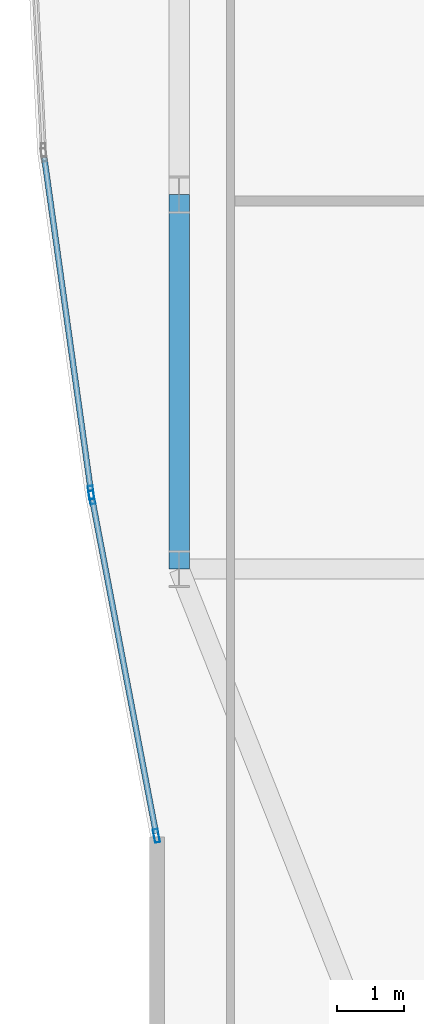
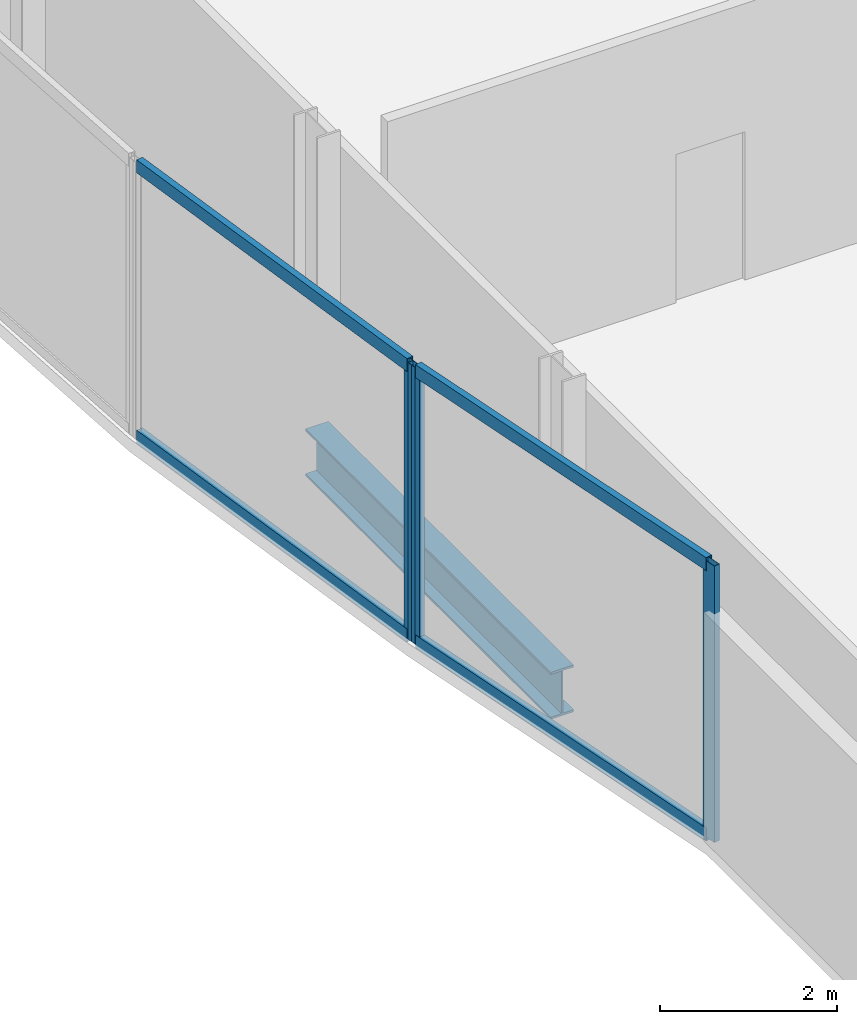
# One storey, part 6 of 37: 7 members, 1 beam, 2 elements without a shape of their own.
"""IFC4 building model written with IfcOpenShell, lengths in metres."""

from ifc_helpers import new_model, si_unit, direction, frame, origin, origin_2d, place, context, subcontext, project, spatial, hollow_rectangle, i_section, extrude, material, material_profile, profile_set, type_object, element, aggregate, save


model = new_model("IFC4")

# Units and contexts
model_context = context("Model", 3, precision=1e-05, world=origin(), true_north=direction((0.0, 1.0)))
body_context = subcontext(model_context, "Body", "Model", "MODEL_VIEW")
ifc_project = project(units=[si_unit("LENGTHUNIT", "METRE"), si_unit("AREAUNIT", "SQUARE_METRE"), si_unit("VOLUMEUNIT", "CUBIC_METRE"), si_unit("PLANEANGLEUNIT", "RADIAN"), si_unit("MASSUNIT", "GRAM", prefix="KILO")], contexts=[model_context])

# Site, building, storey
site_placement = place(None, origin())
site = spatial("IfcSite", under=ifc_project, at=site_placement, CompositionType="ELEMENT")
building_placement = place(site_placement, origin())
building = spatial("IfcBuilding", under=site, at=building_placement, Name="Khoronbel Lancet Exchange", CompositionType="ELEMENT")
storey_placement = place(building_placement, frame((0.0, 0.0, 45.800048828125)))
storey = spatial("IfcBuildingStorey", under=building, at=storey_placement, Name="L10", CompositionType="ELEMENT", Elevation=45.800048828125)

# Beam
ifc_material_1 = material(Name="Steel S355", Category="steel")
ifc_material_profile_1 = material_profile(ifc_material_1, i_section(OverallWidth=0.300048828125, OverallDepth=0.64990234375, WebThickness=0.01611328125, FlangeThickness=0.031005859375, at=origin_2d()), Name="HEB 650")
ifc_profile_set_1 = profile_set([ifc_material_profile_1], Name="Steel S355")
beam_type = type_object("IfcBeamType", Name="BM-BSP1", PredefinedType="SPANDREL", material=ifc_profile_set_1)
beam_placement = place(storey_placement, frame((1.27001953125, 24.75, -0.505126953125), z_axis=(0.0, -1.0, 0.0), x_axis=(1.0, 0.0, 0.0)))
element("IfcBeam", 1, at=beam_placement, inside=storey, type_object=beam_type, Name="Level L10 perimeter spandrel beam SP20", PredefinedType="SPANDREL", context=body_context, shape_type="SweptSolid", body=[
    extrude(i_section(OverallWidth=0.300048828125, OverallDepth=0.64990234375, WebThickness=0.01611328125, FlangeThickness=0.031005859375, at=origin_2d()), origin(), (0.0, 0.0, 1.0), 5.550048828125),
])

# Curtain wall, members
ifc_material_2 = material(Name="Low-E Solar Control Insulating Glass", Category="glass")
curtain_wall_type = type_object("IfcCurtainWallType", Name="CW-4", PredefinedType="NOTDEFINED", material=ifc_material_2)
curtain_wall_1_placement = place(storey_placement, origin())
curtain_wall_1 = element("IfcCurtainWall", 2, at=curtain_wall_1_placement, inside=storey, type_object=curtain_wall_type, Name="Unitised curtain wall CW-L10-E04", PredefinedType="NOTDEFINED")
ifc_material_3 = material(Name="Bronze-Anodised Aluminium 6063-T6", Category="aluminium")
ifc_material_profile_2 = material_profile(ifc_material_3, hollow_rectangle(XDim=0.074951171875, YDim=0.199951171875, WallThickness=0.0048828125, at=origin_2d()), Name="ALU MULLION 75x200")
ifc_profile_set_2 = profile_set([ifc_material_profile_2], Name="Bronze-Anodised Aluminium 6063-T6")
member_type_1 = type_object("IfcMemberType", Name="MEM-CWM2", PredefinedType="MULLION", material=ifc_profile_set_2)
member_1_placement = place(storey_placement, frame((0.932861328125, 15.245361328125, 0.0), z_axis=(0.0, 0.0, 1.0), x_axis=(-0.982279223099, -0.187423391996, 0.0)))
member_1 = element("IfcMember", 3, at=member_1_placement, type_object=member_type_1, Name="CW4 mullion 1", PredefinedType="MULLION", context=body_context, shape_type="SweptSolid", body=[
    extrude(hollow_rectangle(XDim=0.074951171875, YDim=0.199951171875, WallThickness=0.0048828125, at=origin_2d()), origin(), (0.0, 0.0, 1.0), 3.820068359375),
])
member_2_placement = place(storey_placement, frame((-0.024169921875, 20.26123046875, 0.0), z_axis=(0.0, 0.0, 1.0), x_axis=(-0.982279223099, -0.187423391996, 0.0)))
member_2 = element("IfcMember", 4, at=member_2_placement, type_object=member_type_1, Name="CW4 mullion 2", PredefinedType="MULLION", context=body_context, shape_type="SweptSolid", body=[
    extrude(hollow_rectangle(XDim=0.074951171875, YDim=0.199951171875, WallThickness=0.0048828125, at=origin_2d()), origin(), (0.0, 0.0, 1.0), 3.820068359375),
])

# Curtain wall, member
curtain_wall_2_placement = place(storey_placement, origin())
curtain_wall_2 = element("IfcCurtainWall", 5, at=curtain_wall_2_placement, inside=storey, type_object=curtain_wall_type, Name="Unitised curtain wall CW-L10-E05", PredefinedType="NOTDEFINED")
member_3_placement = place(storey_placement, frame((-0.036376953125, 20.335205078125, 0.0), z_axis=(0.0, 0.0, 1.0), x_axis=(-0.990384767809, -0.138340202733, 0.0)))
member_3 = element("IfcMember", 6, at=member_3_placement, type_object=member_type_1, Name="CW4 mullion 1", PredefinedType="MULLION", context=body_context, shape_type="SweptSolid", body=[
    extrude(hollow_rectangle(XDim=0.074951171875, YDim=0.199951171875, WallThickness=0.0048828125, at=origin_2d()), origin(), (0.0, 0.0, 1.0), 3.820068359375),
])

# Member
ifc_material_profile_3 = material_profile(ifc_material_3, hollow_rectangle(XDim=0.0849609375, YDim=0.179931640625, WallThickness=0.0048828125, at=origin_2d()), Name="ALU TRANSOM 85x180")
ifc_profile_set_3 = profile_set([ifc_material_profile_3], Name="Bronze-Anodised Aluminium 6063-T6")
member_type_2 = type_object("IfcMemberType", Name="MEM-CWT1", PredefinedType="USERDEFINED", material=ifc_profile_set_3)
member_4_placement = place(storey_placement, frame((0.926025390625, 15.2822265625, 0.04248046875), z_axis=(-0.187448792919, 0.982274376146, 0.0), x_axis=(-0.982274376146, -0.187448792919, 0.0)))
member_4 = element("IfcMember", 7, at=member_4_placement, type_object=member_type_2, Name="CW4 transom 1.1", ObjectType="TRANSOM", PredefinedType="USERDEFINED", context=body_context, shape_type="SweptSolid", body=[
    extrude(hollow_rectangle(XDim=0.0849609375, YDim=0.179931640625, WallThickness=0.0048828125, at=origin_2d()), origin(), (0.0, 0.0, 1.0), 5.03125),
])

member_5_placement = place(storey_placement, frame((0.926025390625, 15.2822265625, 3.77734375), z_axis=(-0.187448792919, 0.982274376146, 0.0), x_axis=(-0.982274376146, -0.187448792919, 0.0)))
member_5 = element("IfcMember", 8, at=member_5_placement, type_object=member_type_2, Name="CW4 transom 1.2", ObjectType="TRANSOM", PredefinedType="USERDEFINED", context=body_context, shape_type="SweptSolid", body=[
    extrude(hollow_rectangle(XDim=0.0849609375, YDim=0.179931640625, WallThickness=0.0048828125, at=origin_2d()), origin(), (0.0, 0.0, 1.0), 5.03125),
])

aggregate(curtain_wall_1, [member_1, member_2, member_4, member_5])

member_6_placement = place(storey_placement, frame((-0.04150390625, 20.372314453125, 0.04248046875), z_axis=(-0.138343751113, 0.990384272153, 0.0), x_axis=(-0.990384272153, -0.138343751113, 0.0)))
member_6 = element("IfcMember", 9, at=member_6_placement, type_object=member_type_2, Name="CW4 transom 1.1", ObjectType="TRANSOM", PredefinedType="USERDEFINED", context=body_context, shape_type="SweptSolid", body=[
    extrude(hollow_rectangle(XDim=0.0849609375, YDim=0.179931640625, WallThickness=0.0048828125, at=origin_2d()), origin(), (0.0, 0.0, 1.0), 4.9765625),
])

member_7_placement = place(storey_placement, frame((-0.04150390625, 20.372314453125, 3.77734375), z_axis=(-0.138343751113, 0.990384272153, 0.0), x_axis=(-0.990384272153, -0.138343751113, 0.0)))
member_7 = element("IfcMember", 10, at=member_7_placement, type_object=member_type_2, Name="CW4 transom 1.2", ObjectType="TRANSOM", PredefinedType="USERDEFINED", context=body_context, shape_type="SweptSolid", body=[
    extrude(hollow_rectangle(XDim=0.0849609375, YDim=0.179931640625, WallThickness=0.0048828125, at=origin_2d()), origin(), (0.0, 0.0, 1.0), 4.9765625),
])

aggregate(curtain_wall_2, [member_3, member_6, member_7])

save(model, "model.ifc")
